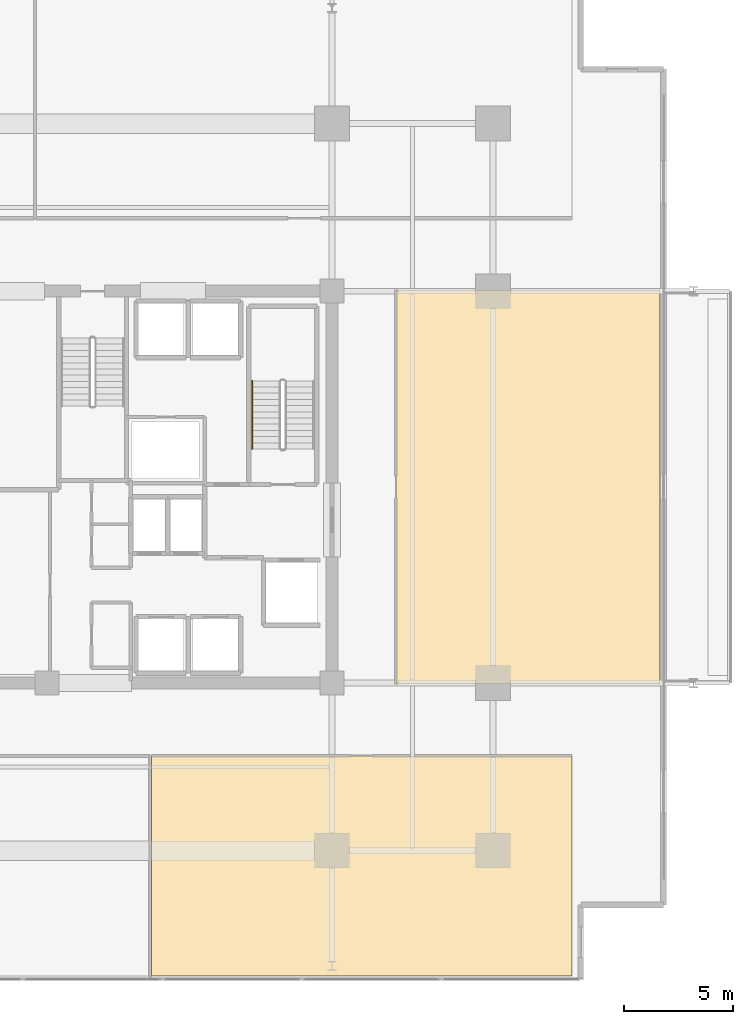
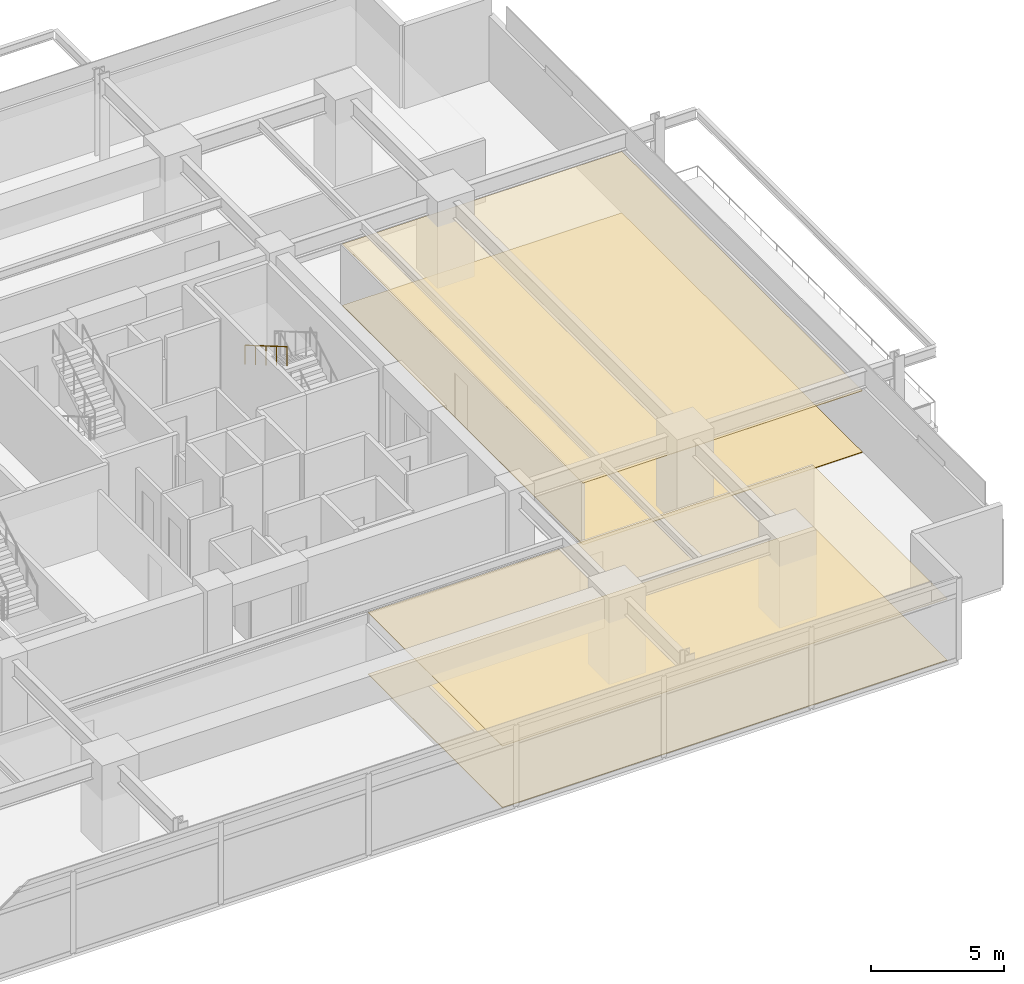
# One storey, part 18 of 20: 4 coverings, 1 railing.
"""IFC4 building model written with IfcOpenShell, lengths in metres."""

from ifc_helpers import new_model, si_unit, direction, frame, origin, origin_2d, place, context, subcontext, project, spatial, polyline, circle, outline, extrude, material, layer, layer_set, type_object, element, save


model = new_model("IFC4")

# Units and contexts
model_context = context("Model", 3, precision=1e-05, world=origin(), true_north=direction((0.0, 1.0)))
body_context = subcontext(model_context, "Body", "Model", "MODEL_VIEW")
ifc_project = project(units=[si_unit("LENGTHUNIT", "METRE"), si_unit("AREAUNIT", "SQUARE_METRE"), si_unit("VOLUMEUNIT", "CUBIC_METRE"), si_unit("PLANEANGLEUNIT", "RADIAN"), si_unit("MASSUNIT", "GRAM", prefix="KILO")], contexts=[model_context])

# Site, building, storey
site_placement = place(None, origin())
site = spatial("IfcSite", under=ifc_project, at=site_placement, CompositionType="ELEMENT")
building_placement = place(site_placement, origin())
building = spatial("IfcBuilding", under=site, at=building_placement, Name="Kovane Verandah Tower", CompositionType="ELEMENT")
storey_placement = place(building_placement, frame((0.0, 0.0, 128.39990234375)))
storey = spatial("IfcBuildingStorey", under=building, at=storey_placement, Name="L29", CompositionType="ELEMENT", Elevation=128.39990234375)

# Coverings
ifc_material_1 = material(Name="Perforated Acoustic Mineral-Fibre Ceiling Tile", Category="gypsum")
ifc_layer_1 = layer(ifc_material_1, 0.02490234375)
ifc_layer_set_1 = layer_set([ifc_layer_1], Name="Perforated Acoustic Mineral-Fibre Ceiling Tile")
covering_type_1 = type_object("IfcCoveringType", Name="CV-CEIL-25", PredefinedType="CEILING", material=ifc_layer_set_1)
covering_1_placement = place(storey_placement, frame((0.0, 0.0, 2.8251953125)))
element("IfcCovering", 1, at=covering_1_placement, inside=storey, type_object=covering_type_1, Name="L29 Focus Studio S2 Acoustic Ceiling", PredefinedType="CEILING", context=body_context, shape_type="SweptSolid", body=[
    extrude(outline(polyline([(42.71337890625, 5.0498046875), (62.02880859375, 5.0498046875), (62.02880859375, 15.14990234375), (42.71337890625, 15.14990234375), (42.71337890625, 5.0498046875)])), origin(), (0.0, 0.0, 1.0), 0.02490234375),
])
covering_2_placement = place(storey_placement, frame((0.0, 0.0, 2.8251953125)))
element("IfcCovering", 2, at=covering_2_placement, inside=storey, type_object=covering_type_1, Name="L29 Document and Print Room E1 Acoustic Ceiling", PredefinedType="CEILING", context=body_context, shape_type="SweptSolid", body=[
    extrude(outline(polyline([(53.949951171875, 18.449951171875), (66.07861328125, 18.449951171875), (66.07861328125, 36.550048828125), (53.949951171875, 36.550048828125), (53.949951171875, 18.449951171875)])), origin(), (0.0, 0.0, 1.0), 0.02490234375),
])
ifc_material_2 = material(Name="Polished Terrazzo and Raised-Access Carpet Tile Finish", Category="concrete")
ifc_layer_2 = layer(ifc_material_2, 0.030029296875)
ifc_layer_set_2 = layer_set([ifc_layer_2], Name="Polished Terrazzo and Raised-Access Carpet Tile Finish")
covering_type_2 = type_object("IfcCoveringType", Name="CV-FLOR-30", PredefinedType="FLOORING", material=ifc_layer_set_2)
covering_3_placement = place(storey_placement, origin())
element("IfcCovering", 3, at=covering_3_placement, inside=storey, type_object=covering_type_2, Name="L29 Focus Studio S2 Floor Finish", PredefinedType="FLOORING", context=body_context, shape_type="SweptSolid", body=[
    extrude(outline(polyline([(42.71337890625, 5.0498046875), (62.02880859375, 5.0498046875), (62.02880859375, 15.14990234375), (42.71337890625, 15.14990234375), (42.71337890625, 5.0498046875)])), origin(), (0.0, 0.0, 1.0), 0.030029296875),
])
covering_4_placement = place(storey_placement, origin())
element("IfcCovering", 4, at=covering_4_placement, inside=storey, type_object=covering_type_2, Name="L29 Document and Print Room E1 Floor Finish", PredefinedType="FLOORING", context=body_context, shape_type="SweptSolid", body=[
    extrude(outline(polyline([(53.949951171875, 18.449951171875), (66.07861328125, 18.449951171875), (66.07861328125, 36.550048828125), (53.949951171875, 36.550048828125), (53.949951171875, 18.449951171875)])), origin(), (0.0, 0.0, 1.0), 0.030029296875),
])

# Railing
ifc_material_3 = material(Name="Brushed Stainless Steel Handrail", Category="steel")
railing_type = type_object("IfcRailingType", Name="RL-HAND-920", PredefinedType="HANDRAIL", material=ifc_material_3)
railing_placement = place(storey_placement, frame((47.330078125, 32.385009765625, 2.166748046875)))
element("IfcRailing", 5, at=railing_placement, inside=storey, type_object=railing_type, Name="L29 ST-02 stair handrail 2", PredefinedType="HANDRAIL", context=body_context, shape_type="SweptSolid", body=[
    extrude(circle(Radius=0.02392578125, at=origin_2d()), frame((0.0, 0.0, 0.8759765625), z_axis=(0.0, -0.863239559939, 0.504794475164), x_axis=(1.0, 0.0, 0.0)), (0.0, 0.0, 1.0), 3.631591796875),
    extrude(circle(Radius=0.02099609375, at=origin_2d()), origin(), (0.0, 0.0, 1.0), 0.851806640625),
    extrude(circle(Radius=0.02099609375, at=origin_2d()), frame((0.0, -0.78369140625, 0.458251953125)), (0.0, 0.0, 1.0), 0.851806640625),
    extrude(circle(Radius=0.02099609375, at=origin_2d()), frame((0.0, -1.5673828125, 0.91650390625)), (0.0, 0.0, 1.0), 0.851806640625),
    extrude(circle(Radius=0.02099609375, at=origin_2d()), frame((0.0, -2.351318359375, 1.375)), (0.0, 0.0, 1.0), 0.851806640625),
    extrude(circle(Radius=0.02099609375, at=origin_2d()), frame((0.0, -3.135009765625, 1.833251953125)), (0.0, 0.0, 1.0), 0.851806640625),
])

save(model, "model.ifc")
